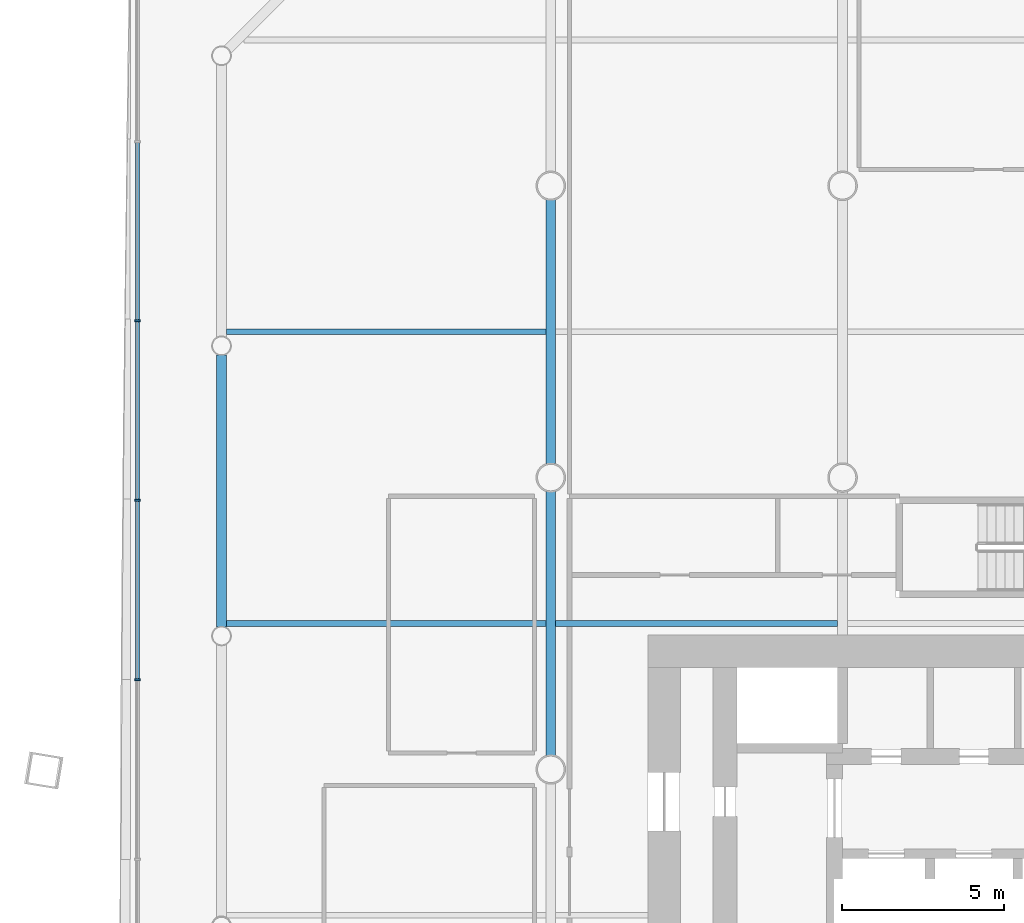
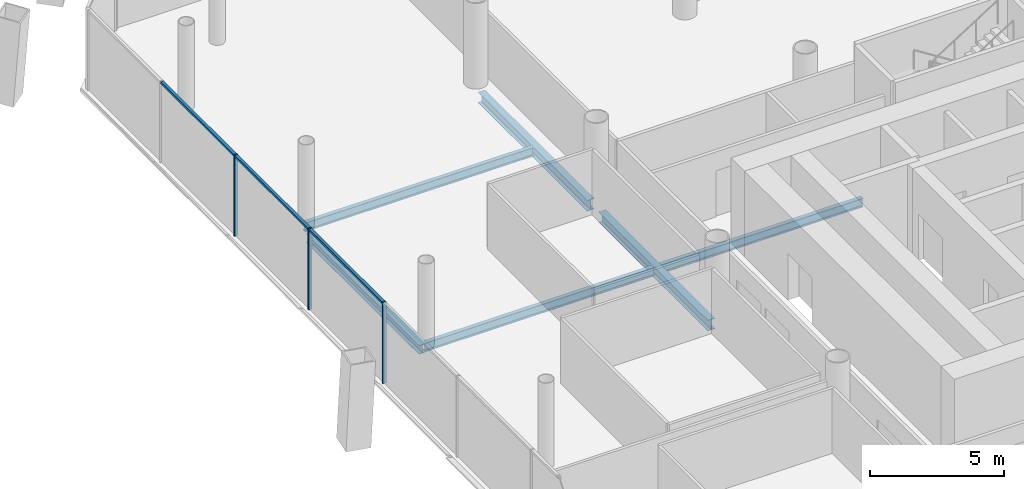
# One storey, part 8 of 23: 6 beams, 6 members, 1 element without a shape of its own.
"""IFC4 building model written with IfcOpenShell, lengths in metres."""

from ifc_helpers import new_model, si_unit, direction, frame, origin, origin_2d, place, context, subcontext, project, spatial, rectangle, i_section, extrude, material, material_profile, profile_set, type_object, element, aggregate, save


model = new_model("IFC4")

# Units and contexts
model_context = context("Model", 3, precision=1e-05, world=origin(), true_north=direction((0.0, 1.0)))
body_context = subcontext(model_context, "Body", "Model", "MODEL_VIEW")
ifc_project = project(units=[si_unit("LENGTHUNIT", "METRE"), si_unit("AREAUNIT", "SQUARE_METRE"), si_unit("VOLUMEUNIT", "CUBIC_METRE"), si_unit("PLANEANGLEUNIT", "RADIAN"), si_unit("MASSUNIT", "GRAM", prefix="KILO")], contexts=[model_context])

# Site, building, storey
site_placement = place(None, origin())
site = spatial("IfcSite", under=ifc_project, at=site_placement, CompositionType="ELEMENT")
building_placement = place(site_placement, origin())
building = spatial("IfcBuilding", under=site, at=building_placement, Name="Tskaro Facet Tower", CompositionType="ELEMENT")
storey_placement = place(building_placement, frame((0.0, 0.0, 14.699951171875)))
storey = spatial("IfcBuildingStorey", under=building, at=storey_placement, Name="L02", CompositionType="ELEMENT", Elevation=14.699951171875)

# Curtain wall, members
ifc_material_1 = material(Name="Bronze anodised aluminium 6063-T6", Category="aluminium")
curtain_wall_type = type_object("IfcCurtainWallType", Name="Bronze office curtain wall (FW1)", PredefinedType="NOTDEFINED", material=ifc_material_1)
curtain_wall_placement = place(storey_placement, origin())
curtain_wall = element("IfcCurtainWall", 1, at=curtain_wall_placement, inside=storey, type_object=curtain_wall_type, Name="FW1 west facet L02", PredefinedType="NOTDEFINED")
ifc_material_profile_1 = material_profile(ifc_material_1, rectangle(XDim=0.06005859375, YDim=0.159912109375, at=origin_2d()), Name="Mullion 60x160")
ifc_profile_set_1 = profile_set([ifc_material_profile_1], Name="Bronze anodised aluminium 6063-T6")
member_type_1 = type_object("IfcMemberType", Name="FW1 bronze mullion 60x160", PredefinedType="MULLION", material=ifc_profile_set_1)
member_1_placement = place(storey_placement, frame((-30.75, 13.8310546875, 0.0), z_axis=(0.0, 0.0, 1.0), x_axis=(0.0, -1.0, 0.0)))
member_1 = element("IfcMember", 2, at=member_1_placement, type_object=member_type_1, Name="FW1 west mullion 2", PredefinedType="MULLION", context=body_context, shape_type="SweptSolid", body=[
    extrude(rectangle(XDim=0.06005859375, YDim=0.159912109375, at=origin_2d()), origin(), (0.0, 0.0, 1.0), 3.699951171875),
])
member_2_placement = place(storey_placement, frame((-30.75, 8.298583984375, 0.0), z_axis=(0.0, 0.0, 1.0), x_axis=(0.0, -1.0, 0.0)))
member_2 = element("IfcMember", 3, at=member_2_placement, type_object=member_type_1, Name="FW1 west mullion 3", PredefinedType="MULLION", context=body_context, shape_type="SweptSolid", body=[
    extrude(rectangle(XDim=0.06005859375, YDim=0.159912109375, at=origin_2d()), origin(), (0.0, 0.0, 1.0), 3.699951171875),
])
member_3_placement = place(storey_placement, frame((-30.75, 2.76611328125, 0.0), z_axis=(0.0, 0.0, 1.0), x_axis=(0.0, -1.0, 0.0)))
member_3 = element("IfcMember", 4, at=member_3_placement, type_object=member_type_1, Name="FW1 west mullion 4", PredefinedType="MULLION", context=body_context, shape_type="SweptSolid", body=[
    extrude(rectangle(XDim=0.06005859375, YDim=0.159912109375, at=origin_2d()), origin(), (0.0, 0.0, 1.0), 3.699951171875),
])
ifc_material_profile_2 = material_profile(ifc_material_1, rectangle(XDim=0.1201171875, YDim=0.10009765625, at=origin_2d()), Name="Transom 120x100")
ifc_profile_set_2 = profile_set([ifc_material_profile_2], Name="Bronze anodised aluminium 6063-T6")
member_type_2 = type_object("IfcMemberType", Name="FW1 bronze transom 120x100", PredefinedType="USERDEFINED", material=ifc_profile_set_2)
member_4_placement = place(storey_placement, frame((-30.75, 19.33349609375, 3.650146484375), z_axis=(0.0, -1.0, 0.0), x_axis=(1.0, 0.0, 0.0)))
member_4 = element("IfcMember", 5, at=member_4_placement, type_object=member_type_2, Name="FW1 west transom 2.1", ObjectType="TRANSOM", PredefinedType="USERDEFINED", context=body_context, shape_type="SweptSolid", body=[
    extrude(rectangle(XDim=0.1201171875, YDim=0.10009765625, at=origin_2d()), origin(), (0.0, 0.0, 1.0), 5.472412109375),
])
member_5_placement = place(storey_placement, frame((-30.75, 13.801025390625, 3.650146484375), z_axis=(0.0, -1.0, 0.0), x_axis=(1.0, 0.0, 0.0)))
member_5 = element("IfcMember", 6, at=member_5_placement, type_object=member_type_2, Name="FW1 west transom 3.1", ObjectType="TRANSOM", PredefinedType="USERDEFINED", context=body_context, shape_type="SweptSolid", body=[
    extrude(rectangle(XDim=0.1201171875, YDim=0.10009765625, at=origin_2d()), origin(), (0.0, 0.0, 1.0), 5.472412109375),
])
member_6_placement = place(storey_placement, frame((-30.75, 8.2685546875, 3.650146484375), z_axis=(0.0, -1.0, 0.0), x_axis=(1.0, 0.0, 0.0)))
member_6 = element("IfcMember", 7, at=member_6_placement, type_object=member_type_2, Name="FW1 west transom 4.1", ObjectType="TRANSOM", PredefinedType="USERDEFINED", context=body_context, shape_type="SweptSolid", body=[
    extrude(rectangle(XDim=0.1201171875, YDim=0.10009765625, at=origin_2d()), origin(), (0.0, 0.0, 1.0), 5.472412109375),
])
aggregate(curtain_wall, [member_1, member_2, member_3, member_4, member_5, member_6])

# Beams
ifc_material_2 = material(Name="Steel S355J2", Category="steel")
ifc_material_profile_3 = material_profile(ifc_material_2, i_section(OverallWidth=0.300048828125, OverallDepth=0.39990234375, WebThickness=0.013427734375, FlangeThickness=0.02392578125, FilletRadius=0.027099609375, at=origin_2d()), Name="HE 400 B")
ifc_profile_set_3 = profile_set([ifc_material_profile_3], Name="Steel S355J2")
beam_type_1 = type_object("IfcBeamType", Name="HE 400 B ring beam", PredefinedType="BEAM", material=ifc_profile_set_3)
beam_1_placement = place(storey_placement, frame((-28.156982421875, 12.7890625, -0.33984375), z_axis=(0.0, -1.0, 0.0), x_axis=(1.0, 0.0, 0.0)))
element("IfcBeam", 8, at=beam_1_placement, inside=storey, type_object=beam_type_1, Name="HE 400 B EB21-1", PredefinedType="BEAM", context=body_context, shape_type="SweptSolid", body=[
    extrude(i_section(OverallWidth=0.300048828125, OverallDepth=0.39990234375, WebThickness=0.013427734375, FlangeThickness=0.02392578125, FilletRadius=0.027099609375, at=origin_2d()), origin(), (0.0, 0.0, 1.0), 8.39794921875),
])
ifc_material_profile_4 = material_profile(ifc_material_2, i_section(OverallWidth=0.300048828125, OverallDepth=0.489990234375, WebThickness=0.011962890625, FlangeThickness=0.02294921875, FilletRadius=0.027099609375, at=origin_2d()), Name="HE 500 A")
ifc_profile_set_4 = profile_set([ifc_material_profile_4], Name="Steel S355J2")
beam_type_2 = type_object("IfcBeamType", Name="HE 500 A girder", PredefinedType="BEAM", material=ifc_profile_set_4)
for number, where, z_axis, x_axis, name in (
    (9, (-18.0, 0.42724609375, -0.385009765625), (0.0, 1.0, 0.0), (-1.0, 0.0, 0.0), "HE 500 A GB2-4-1"),
    (10, (-18.0, 9.42724609375, -0.385009765625), (0.0, 1.0, 0.0), (-1.0, 0.0, 0.0), "HE 500 A GB2-5-1"),
):
    element("IfcBeam", number, at=place(storey_placement, frame(where, z_axis=z_axis, x_axis=x_axis)), inside=storey, type_object=beam_type_2, Name=name, PredefinedType="BEAM", context=body_context, shape_type="SweptSolid", body=[
        extrude(i_section(OverallWidth=0.300048828125, OverallDepth=0.489990234375, WebThickness=0.011962890625, FlangeThickness=0.02294921875, FilletRadius=0.027099609375, at=origin_2d()), origin(), (0.0, 0.0, 1.0), 8.1455078125),
    ])
ifc_material_profile_5 = material_profile(ifc_material_2, i_section(OverallWidth=0.179931640625, OverallDepth=0.39990234375, WebThickness=0.008544921875, FlangeThickness=0.013427734375, FilletRadius=0.02099609375, at=origin_2d()), Name="IPE 400")
ifc_profile_set_5 = profile_set([ifc_material_profile_5], Name="Steel S355J2")
beam_type_3 = type_object("IfcBeamType", Name="IPE 400 secondary beam", PredefinedType="BEAM", material=ifc_profile_set_5)
beam_2_placement = place(storey_placement, frame((-28.007080078125, 4.5, -0.33984375), z_axis=(1.0, 0.0, 0.0), x_axis=(0.0, 1.0, 0.0)))
element("IfcBeam", 11, at=beam_2_placement, inside=storey, type_object=beam_type_3, Name="IPE 400 SB4a-1-1", PredefinedType="BEAM", context=body_context, shape_type="SweptSolid", body=[
    extrude(i_section(OverallWidth=0.179931640625, OverallDepth=0.39990234375, WebThickness=0.008544921875, FlangeThickness=0.013427734375, FilletRadius=0.02099609375, at=origin_2d()), origin(), (0.0, 0.0, 1.0), 9.857177734375),
])
beam_3_placement = place(storey_placement, frame((-17.85009765625, 4.5, -0.33984375), z_axis=(1.0, 0.0, 0.0), x_axis=(0.0, 1.0, 0.0)))
element("IfcBeam", 12, at=beam_3_placement, inside=storey, type_object=beam_type_3, Name="IPE 400 SB4a-2-1", PredefinedType="BEAM", context=body_context, shape_type="SweptSolid", body=[
    extrude(i_section(OverallWidth=0.179931640625, OverallDepth=0.39990234375, WebThickness=0.008544921875, FlangeThickness=0.013427734375, FilletRadius=0.02099609375, at=origin_2d()), origin(), (0.0, 0.0, 1.0), 8.7001953125),
])
beam_4_placement = place(storey_placement, frame((-28.007080078125, 13.5, -0.33984375), z_axis=(1.0, 0.0, 0.0), x_axis=(0.0, 1.0, 0.0)))
element("IfcBeam", 13, at=beam_4_placement, inside=storey, type_object=beam_type_3, Name="IPE 400 SB5a-1-1", PredefinedType="BEAM", context=body_context, shape_type="SweptSolid", body=[
    extrude(i_section(OverallWidth=0.179931640625, OverallDepth=0.39990234375, WebThickness=0.008544921875, FlangeThickness=0.013427734375, FilletRadius=0.02099609375, at=origin_2d()), origin(), (0.0, 0.0, 1.0), 9.857177734375),
])

save(model, "model.ifc")
